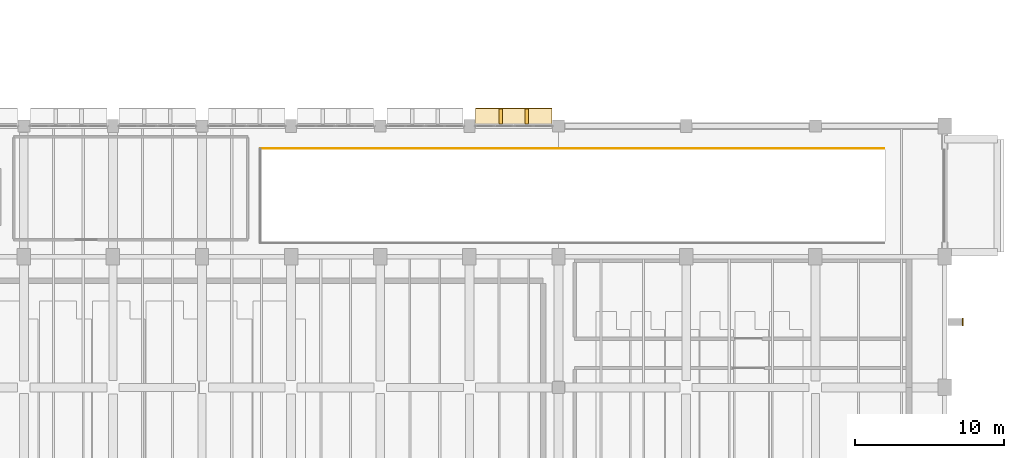
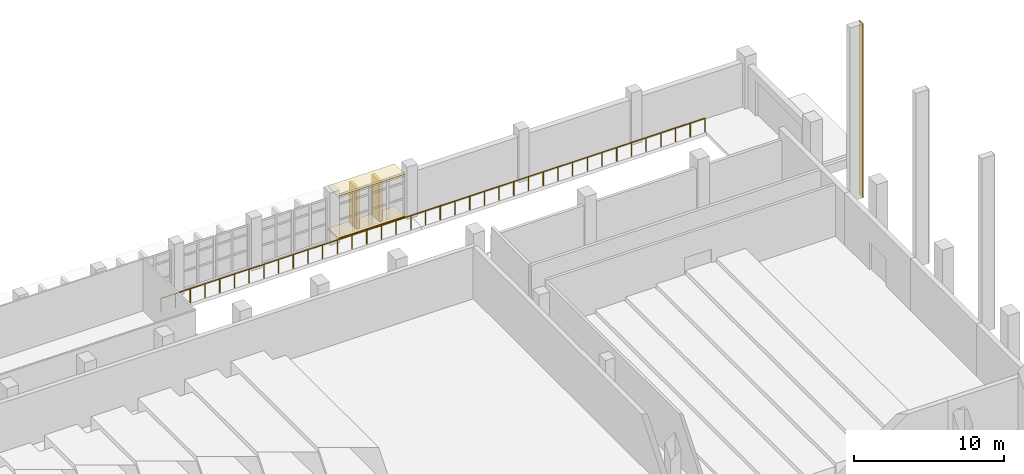
# One storey, part 76 of 76: 3 coverings, 2 shading devices, 1 railing.
"""IFC4 building model written with IfcOpenShell, lengths in metres."""

from ifc_helpers import new_model, si_unit, direction, frame, origin, origin_2d, place, context, subcontext, project, spatial, polyline, rectangle, circle, outline, extrude, material, layer, layer_set, type_object, element, save


model = new_model("IFC4")

# Units and contexts
model_context = context("Model", 3, precision=1e-05, world=origin(), true_north=direction((0.0, 1.0)))
body_context = subcontext(model_context, "Body", "Model", "MODEL_VIEW")
ifc_project = project(units=[si_unit("LENGTHUNIT", "METRE"), si_unit("AREAUNIT", "SQUARE_METRE"), si_unit("VOLUMEUNIT", "CUBIC_METRE"), si_unit("PLANEANGLEUNIT", "RADIAN"), si_unit("MASSUNIT", "GRAM", prefix="KILO")], contexts=[model_context])

# Site, building, storey
site_placement = place(None, origin())
site = spatial("IfcSite", under=ifc_project, at=site_placement, CompositionType="ELEMENT")
building_placement = place(site_placement, origin())
building = spatial("IfcBuilding", under=site, at=building_placement, Name="Varnakota Cinema and Media Centre", CompositionType="ELEMENT")
storey_placement = place(building_placement, origin())
storey = spatial("IfcBuildingStorey", under=building, at=storey_placement, Name="L00", CompositionType="ELEMENT", Elevation=0.0)

# Coverings
ifc_material_1 = material(Name="Precast concrete M40", Category="concrete")
ifc_layer_1 = layer(ifc_material_1, 0.159912109375)
ifc_layer_set_1 = layer_set([ifc_layer_1], Name="Precast concrete M40")
covering_type_1 = type_object("IfcCoveringType", Name="COV-CHAJJA-160", PredefinedType="CLADDING", material=ifc_layer_set_1)
covering_1_placement = place(storey_placement, frame((0.0, 0.0, 3.425048828125)))
element("IfcCovering", 1, at=covering_1_placement, inside=storey, type_object=covering_type_1, Name="L00 Brutalist chajja overhang V1-N-10", PredefinedType="CLADDING", context=body_context, shape_type="SweptSolid", body=[
    extrude(outline(polyline([(129.4150390625, 43.820068359375), (134.56005859375, 43.820068359375), (134.56005859375, 45.219970703125), (129.4150390625, 45.219970703125), (129.4150390625, 43.820068359375)])), origin(), (0.0, 0.0, 1.0), 0.159912109375),
])
covering_2_placement = place(storey_placement, origin())
element("IfcCovering", 2, at=covering_2_placement, inside=storey, type_object=covering_type_1, Name="L00 brise-soleil base plinth V1-N-10", PredefinedType="CLADDING", context=body_context, shape_type="SweptSolid", body=[
    extrude(outline(polyline([(129.4150390625, 43.820068359375), (134.56005859375, 43.820068359375), (134.56005859375, 45.179931640625), (129.4150390625, 45.179931640625), (129.4150390625, 43.820068359375)])), origin(), (0.0, 0.0, 1.0), 0.159912109375),
])
ifc_material_2 = material(Name="Pale Tandur limestone cladding", Category="masonry")
ifc_layer_2 = layer(ifc_material_2, 0.06005859375)
ifc_layer_set_2 = layer_set([ifc_layer_2], Name="Pale Tandur limestone cladding")
covering_type_2 = type_object("IfcCoveringType", Name="COV-TANDUR-ASHLAR-60", PredefinedType="CLADDING", material=ifc_layer_set_2)
covering_3_placement = place(storey_placement, frame((162.22509765625, 30.800048828125, 0.0), z_axis=(0.0, 0.0, 1.0), x_axis=(1.0, 0.0, 0.0)))
element("IfcCovering", 3, at=covering_3_placement, inside=storey, type_object=covering_type_2, Name="Hall east buttress pale stone nose 4", PredefinedType="CLADDING", context=body_context, shape_type="SweptSolid", body=[
    extrude(rectangle(XDim=0.06005859375, YDim=0.5, at=origin_2d()), origin(), (0.0, 0.0, 1.0), 14.199951171875),
])

# Railing
ifc_material_3 = material(Name="Anodised golden-bronze steel Grade 350 (E350)", Category="steel")
ifc_layer_3 = layer(ifc_material_3, 0.050048828125)
ifc_layer_set_3 = layer_set([ifc_layer_3], Name="Anodised golden-bronze steel Grade 350 (E350)")
railing_type = type_object("IfcRailingType", Name="RAIL-GUARD-1150", PredefinedType="BALUSTRADE", material=ifc_layer_set_3)
railing_placement = place(storey_placement, frame((114.949951171875, 42.47998046875, 0.0)))
element("IfcRailing", 4, at=railing_placement, inside=storey, type_object=railing_type, Name="L00 guard balustrade GRD-L00-RAMP-3", PredefinedType="BALUSTRADE", context=body_context, shape_type="SweptSolid", body=[
    extrude(circle(Radius=0.02392578125, at=origin_2d()), frame((0.0, 0.0, 1.1259765625), z_axis=(1.0, 0.0, 0.0), x_axis=(0.0, 1.0, 0.0)), (0.0, 0.0, 1.0), 41.969970703125),
    extrude(circle(Radius=0.02099609375, at=origin_2d()), origin(), (0.0, 0.0, 1.0), 1.101806640625),
    extrude(circle(Radius=0.02099609375, at=origin_2d()), frame((1.13427734375, 0.0, 0.0)), (0.0, 0.0, 1.0), 1.101806640625),
    extrude(circle(Radius=0.02099609375, at=origin_2d()), frame((2.2685546875, 0.0, 0.0)), (0.0, 0.0, 1.0), 1.101806640625),
    extrude(circle(Radius=0.02099609375, at=origin_2d()), frame((3.403076171875, 0.0, 0.0)), (0.0, 0.0, 1.0), 1.101806640625),
    extrude(circle(Radius=0.02099609375, at=origin_2d()), frame((4.537353515625, 0.0, 0.0)), (0.0, 0.0, 1.0), 1.101806640625),
    extrude(circle(Radius=0.02099609375, at=origin_2d()), frame((5.671630859375, 0.0, 0.0)), (0.0, 0.0, 1.0), 1.101806640625),
    extrude(circle(Radius=0.02099609375, at=origin_2d()), frame((6.805908203125, 0.0, 0.0)), (0.0, 0.0, 1.0), 1.101806640625),
    extrude(circle(Radius=0.02099609375, at=origin_2d()), frame((7.940185546875, 0.0, 0.0)), (0.0, 0.0, 1.0), 1.101806640625),
    extrude(circle(Radius=0.02099609375, at=origin_2d()), frame((9.07470703125, 0.0, 0.0)), (0.0, 0.0, 1.0), 1.101806640625),
    extrude(circle(Radius=0.02099609375, at=origin_2d()), frame((10.208984375, 0.0, 0.0)), (0.0, 0.0, 1.0), 1.101806640625),
    extrude(circle(Radius=0.02099609375, at=origin_2d()), frame((11.34326171875, 0.0, 0.0)), (0.0, 0.0, 1.0), 1.101806640625),
    extrude(circle(Radius=0.02099609375, at=origin_2d()), frame((12.4775390625, 0.0, 0.0)), (0.0, 0.0, 1.0), 1.101806640625),
    extrude(circle(Radius=0.02099609375, at=origin_2d()), frame((13.61181640625, 0.0, 0.0)), (0.0, 0.0, 1.0), 1.101806640625),
    extrude(circle(Radius=0.02099609375, at=origin_2d()), frame((14.74609375, 0.0, 0.0)), (0.0, 0.0, 1.0), 1.101806640625),
    extrude(circle(Radius=0.02099609375, at=origin_2d()), frame((15.880615234375, 0.0, 0.0)), (0.0, 0.0, 1.0), 1.101806640625),
    extrude(circle(Radius=0.02099609375, at=origin_2d()), frame((17.014892578125, 0.0, 0.0)), (0.0, 0.0, 1.0), 1.101806640625),
    extrude(circle(Radius=0.02099609375, at=origin_2d()), frame((18.149169921875, 0.0, 0.0)), (0.0, 0.0, 1.0), 1.101806640625),
    extrude(circle(Radius=0.02099609375, at=origin_2d()), frame((19.283447265625, 0.0, 0.0)), (0.0, 0.0, 1.0), 1.101806640625),
    extrude(circle(Radius=0.02099609375, at=origin_2d()), frame((20.417724609375, 0.0, 0.0)), (0.0, 0.0, 1.0), 1.101806640625),
    extrude(circle(Radius=0.02099609375, at=origin_2d()), frame((21.55224609375, 0.0, 0.0)), (0.0, 0.0, 1.0), 1.101806640625),
    extrude(circle(Radius=0.02099609375, at=origin_2d()), frame((22.6865234375, 0.0, 0.0)), (0.0, 0.0, 1.0), 1.101806640625),
    extrude(circle(Radius=0.02099609375, at=origin_2d()), frame((23.82080078125, 0.0, 0.0)), (0.0, 0.0, 1.0), 1.101806640625),
    extrude(circle(Radius=0.02099609375, at=origin_2d()), frame((24.955078125, 0.0, 0.0)), (0.0, 0.0, 1.0), 1.101806640625),
    extrude(circle(Radius=0.02099609375, at=origin_2d()), frame((26.08935546875, 0.0, 0.0)), (0.0, 0.0, 1.0), 1.101806640625),
    extrude(circle(Radius=0.02099609375, at=origin_2d()), frame((27.223876953125, 0.0, 0.0)), (0.0, 0.0, 1.0), 1.101806640625),
    extrude(circle(Radius=0.02099609375, at=origin_2d()), frame((28.358154296875, 0.0, 0.0)), (0.0, 0.0, 1.0), 1.101806640625),
    extrude(circle(Radius=0.02099609375, at=origin_2d()), frame((29.492431640625, 0.0, 0.0)), (0.0, 0.0, 1.0), 1.101806640625),
    extrude(circle(Radius=0.02099609375, at=origin_2d()), frame((30.626708984375, 0.0, 0.0)), (0.0, 0.0, 1.0), 1.101806640625),
    extrude(circle(Radius=0.02099609375, at=origin_2d()), frame((31.760986328125, 0.0, 0.0)), (0.0, 0.0, 1.0), 1.101806640625),
    extrude(circle(Radius=0.02099609375, at=origin_2d()), frame((32.895263671875, 0.0, 0.0)), (0.0, 0.0, 1.0), 1.101806640625),
    extrude(circle(Radius=0.02099609375, at=origin_2d()), frame((34.02978515625, 0.0, 0.0)), (0.0, 0.0, 1.0), 1.101806640625),
    extrude(circle(Radius=0.02099609375, at=origin_2d()), frame((35.1640625, 0.0, 0.0)), (0.0, 0.0, 1.0), 1.101806640625),
    extrude(circle(Radius=0.02099609375, at=origin_2d()), frame((36.29833984375, 0.0, 0.0)), (0.0, 0.0, 1.0), 1.101806640625),
    extrude(circle(Radius=0.02099609375, at=origin_2d()), frame((37.4326171875, 0.0, 0.0)), (0.0, 0.0, 1.0), 1.101806640625),
    extrude(circle(Radius=0.02099609375, at=origin_2d()), frame((38.56689453125, 0.0, 0.0)), (0.0, 0.0, 1.0), 1.101806640625),
    extrude(circle(Radius=0.02099609375, at=origin_2d()), frame((39.701416015625, 0.0, 0.0)), (0.0, 0.0, 1.0), 1.101806640625),
    extrude(circle(Radius=0.02099609375, at=origin_2d()), frame((40.835693359375, 0.0, 0.0)), (0.0, 0.0, 1.0), 1.101806640625),
    extrude(circle(Radius=0.02099609375, at=origin_2d()), frame((41.969970703125, 0.0, 0.0)), (0.0, 0.0, 1.0), 1.101806640625),
])

# Shading devices
ifc_material_4 = material(Name="Precast concrete M40", Category="concrete")
shading_device_type = type_object("IfcShadingDeviceType", Name="SHD-BRISE-FIN-240", PredefinedType="JALOUSIE", material=ifc_material_4)
for number, where, z_axis, x_axis, name in (
    (5, (131.11669921875, 44.6298828125, 0.14990234375), (0.0, 0.0, 1.0), (1.0, 0.0, 0.0), "L00 vertical concrete brise-soleil fin V1-N-10.1"),
    (6, (132.8583984375, 44.6298828125, 0.14990234375), (0.0, 0.0, 1.0), (1.0, 0.0, 0.0), "L00 vertical concrete brise-soleil fin V1-N-10.2"),
):
    element("IfcShadingDevice", number, at=place(storey_placement, frame(where, z_axis=z_axis, x_axis=x_axis)), inside=storey, type_object=shading_device_type, Name=name, PredefinedType="JALOUSIE", context=body_context, shape_type="SweptSolid", body=[
        extrude(rectangle(XDim=0.239990234375, YDim=1.02001953125, at=origin_2d()), origin(), (0.0, 0.0, 1.0), 3.284912109375),
    ])

save(model, "model.ifc")
